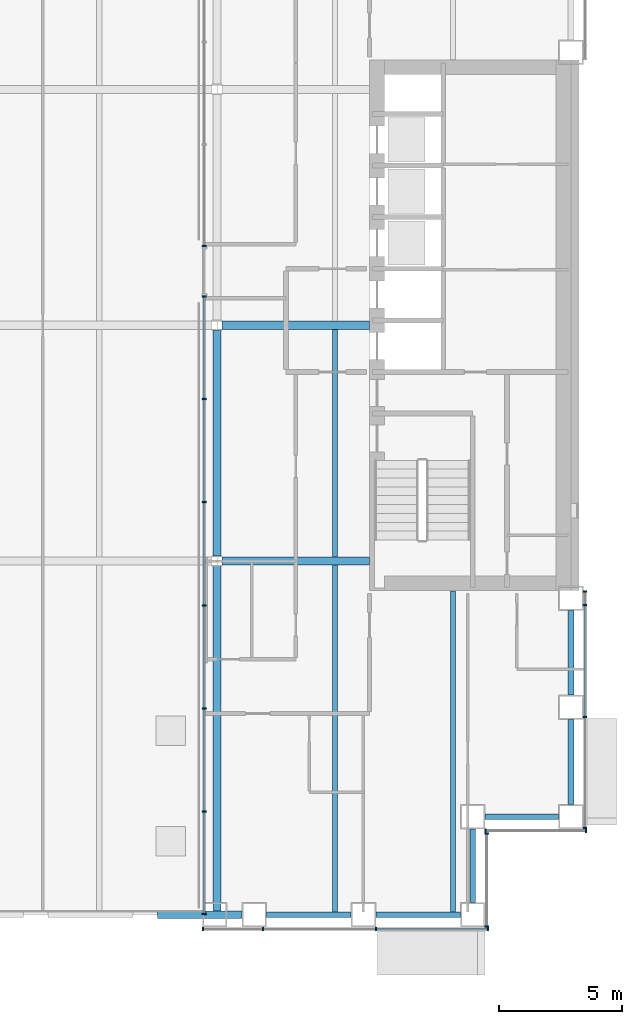
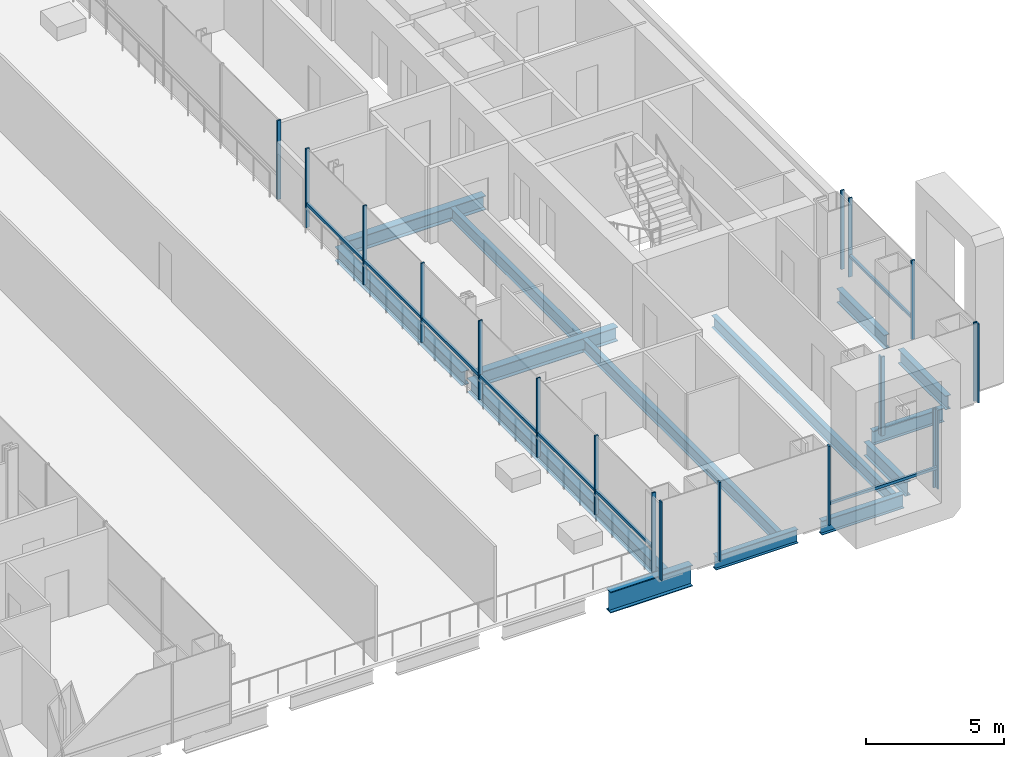
# One storey, part 5 of 24: 28 members, 14 beams, 6 elements without a shape of their own.
"""IFC4 building model written with IfcOpenShell, lengths in metres."""

from ifc_helpers import new_model, si_unit, direction, frame, origin, origin_2d, place, context, subcontext, project, spatial, rectangle, i_section, extrude, material, material_profile, profile_set, type_object, element, aggregate, save


model = new_model("IFC4")

# Units and contexts
model_context = context("Model", 3, precision=1e-05, world=origin(), true_north=direction((0.0, 1.0)))
body_context = subcontext(model_context, "Body", "Model", "MODEL_VIEW")
ifc_project = project(units=[si_unit("LENGTHUNIT", "METRE"), si_unit("AREAUNIT", "SQUARE_METRE"), si_unit("VOLUMEUNIT", "CUBIC_METRE"), si_unit("PLANEANGLEUNIT", "RADIAN"), si_unit("MASSUNIT", "GRAM", prefix="KILO")], contexts=[model_context])

# Site, building, storey
site_placement = place(None, origin())
site = spatial("IfcSite", under=ifc_project, at=site_placement, CompositionType="ELEMENT")
building_placement = place(site_placement, origin())
building = spatial("IfcBuilding", under=site, at=building_placement, Name="Cobrizo Arcos Hotel Tower", CompositionType="ELEMENT")
storey_placement = place(building_placement, frame((0.0, 0.0, 60.0)))
storey = spatial("IfcBuildingStorey", under=building, at=storey_placement, Name="L13", CompositionType="ELEMENT", Elevation=60.0)

# Curtain wall, members
ifc_material_1 = material(Name="Aluminium 6063-T6 anodised bronze", Category="aluminium")
curtain_wall_type_1 = type_object("IfcCurtainWallType", Name="CW-A guest facade", PredefinedType="NOTDEFINED", material=ifc_material_1)
curtain_wall_1_placement = place(storey_placement, origin())
curtain_wall_1 = element("IfcCurtainWall", 1, at=curtain_wall_1_placement, inside=storey, type_object=curtain_wall_type_1, Name="CW-A L13 S face", PredefinedType="NOTDEFINED")
ifc_material_profile_1 = material_profile(ifc_material_1, rectangle(XDim=0.14990234375, YDim=0.06005859375, at=origin_2d()), Name="CW-A mullion 150x60")
ifc_profile_set_1 = profile_set([ifc_material_profile_1], Name="Aluminium 6063-T6 anodised bronze")
member_type_1 = type_object("IfcMemberType", Name="CW-A mullion 150x60", PredefinedType="MULLION", material=ifc_profile_set_1)
member_1_placement = place(storey_placement, frame((9.030029296875, -24.574951171875, 0.0), z_axis=(0.0, 0.0, 1.0), x_axis=(0.0, -1.0, 0.0)))
member_1 = element("IfcMember", 2, at=member_1_placement, type_object=member_type_1, Name="CW-A mullion 1", PredefinedType="MULLION", context=body_context, shape_type="SweptSolid", body=[
    extrude(rectangle(XDim=0.14990234375, YDim=0.06005859375, at=origin_2d()), origin(), (0.0, 0.0, 1.0), 3.5),
])
member_2_placement = place(storey_placement, frame((11.47216796875, -24.574951171875, 0.0), z_axis=(0.0, 0.0, 1.0), x_axis=(0.0, -1.0, 0.0)))
member_2 = element("IfcMember", 3, at=member_2_placement, type_object=member_type_1, Name="CW-A mullion 2", PredefinedType="MULLION", context=body_context, shape_type="SweptSolid", body=[
    extrude(rectangle(XDim=0.14990234375, YDim=0.06005859375, at=origin_2d()), origin(), (0.0, 0.0, 1.0), 3.5),
])
member_3_placement = place(storey_placement, frame((16.06103515625, -24.574951171875, 0.0), z_axis=(0.0, 0.0, 1.0), x_axis=(0.0, -1.0, 0.0)))
member_3 = element("IfcMember", 4, at=member_3_placement, type_object=member_type_1, Name="CW-A mullion 3", PredefinedType="MULLION", context=body_context, shape_type="SweptSolid", body=[
    extrude(rectangle(XDim=0.14990234375, YDim=0.06005859375, at=origin_2d()), origin(), (0.0, 0.0, 1.0), 3.5),
])
member_4_placement = place(storey_placement, frame((20.6201171875, -24.574951171875, 0.0), z_axis=(0.0, 0.0, 1.0), x_axis=(0.0, -1.0, 0.0)))
member_4 = element("IfcMember", 5, at=member_4_placement, type_object=member_type_1, Name="CW-A mullion 4", PredefinedType="MULLION", context=body_context, shape_type="SweptSolid", body=[
    extrude(rectangle(XDim=0.14990234375, YDim=0.06005859375, at=origin_2d()), origin(), (0.0, 0.0, 1.0), 3.5),
])

curtain_wall_2_placement = place(storey_placement, origin())
curtain_wall_2 = element("IfcCurtainWall", 6, at=curtain_wall_2_placement, inside=storey, type_object=curtain_wall_type_1, Name="CW-A L13 E face", PredefinedType="NOTDEFINED")
member_5_placement = place(storey_placement, frame((20.574951171875, -24.469970703125, 0.0), z_axis=(0.0, 0.0, 1.0), x_axis=(1.0, 0.0, 0.0)))
member_5 = element("IfcMember", 7, at=member_5_placement, type_object=member_type_1, Name="CW-A mullion 1", PredefinedType="MULLION", context=body_context, shape_type="SweptSolid", body=[
    extrude(rectangle(XDim=0.14990234375, YDim=0.06005859375, at=origin_2d()), origin(), (0.0, 0.0, 1.0), 3.5),
])
member_6_placement = place(storey_placement, frame((20.574951171875, -20.679931640625, 0.0), z_axis=(0.0, 0.0, 1.0), x_axis=(1.0, 0.0, 0.0)))
member_6 = element("IfcMember", 8, at=member_6_placement, type_object=member_type_1, Name="CW-A mullion 2", PredefinedType="MULLION", context=body_context, shape_type="SweptSolid", body=[
    extrude(rectangle(XDim=0.14990234375, YDim=0.06005859375, at=origin_2d()), origin(), (0.0, 0.0, 1.0), 3.5),
])
aggregate(curtain_wall_2, [member_5, member_6])

curtain_wall_3_placement = place(storey_placement, origin())
curtain_wall_3 = element("IfcCurtainWall", 9, at=curtain_wall_3_placement, inside=storey, type_object=curtain_wall_type_1, Name="CW-A L13 S face", PredefinedType="NOTDEFINED")
member_7_placement = place(storey_placement, frame((20.530029296875, -20.574951171875, 0.0), z_axis=(0.0, 0.0, 1.0), x_axis=(0.0, -1.0, 0.0)))
member_7 = element("IfcMember", 10, at=member_7_placement, type_object=member_type_1, Name="CW-A mullion 1", PredefinedType="MULLION", context=body_context, shape_type="SweptSolid", body=[
    extrude(rectangle(XDim=0.14990234375, YDim=0.06005859375, at=origin_2d()), origin(), (0.0, 0.0, 1.0), 3.5),
])
member_8_placement = place(storey_placement, frame((24.6201171875, -20.574951171875, 0.0), z_axis=(0.0, 0.0, 1.0), x_axis=(0.0, -1.0, 0.0)))
member_8 = element("IfcMember", 11, at=member_8_placement, type_object=member_type_1, Name="CW-A mullion 2", PredefinedType="MULLION", context=body_context, shape_type="SweptSolid", body=[
    extrude(rectangle(XDim=0.14990234375, YDim=0.06005859375, at=origin_2d()), origin(), (0.0, 0.0, 1.0), 3.5),
])
aggregate(curtain_wall_3, [member_7, member_8])

curtain_wall_4_placement = place(storey_placement, origin())
curtain_wall_4 = element("IfcCurtainWall", 12, at=curtain_wall_4_placement, inside=storey, type_object=curtain_wall_type_1, Name="CW-A L13 E face", PredefinedType="NOTDEFINED")
member_9_placement = place(storey_placement, frame((24.574951171875, -20.469970703125, 0.0), z_axis=(0.0, 0.0, 1.0), x_axis=(1.0, 0.0, 0.0)))
member_9 = element("IfcMember", 13, at=member_9_placement, type_object=member_type_1, Name="CW-A mullion 1", PredefinedType="MULLION", context=body_context, shape_type="SweptSolid", body=[
    extrude(rectangle(XDim=0.14990234375, YDim=0.06005859375, at=origin_2d()), origin(), (0.0, 0.0, 1.0), 3.5),
])
member_10_placement = place(storey_placement, frame((24.574951171875, -15.9443359375, 0.0), z_axis=(0.0, 0.0, 1.0), x_axis=(1.0, 0.0, 0.0)))
member_10 = element("IfcMember", 14, at=member_10_placement, type_object=member_type_1, Name="CW-A mullion 2", PredefinedType="MULLION", context=body_context, shape_type="SweptSolid", body=[
    extrude(rectangle(XDim=0.14990234375, YDim=0.06005859375, at=origin_2d()), origin(), (0.0, 0.0, 1.0), 3.5),
])
member_11_placement = place(storey_placement, frame((24.574951171875, -11.388916015625, 0.0), z_axis=(0.0, 0.0, 1.0), x_axis=(1.0, 0.0, 0.0)))
member_11 = element("IfcMember", 15, at=member_11_placement, type_object=member_type_1, Name="CW-A mullion 3", PredefinedType="MULLION", context=body_context, shape_type="SweptSolid", body=[
    extrude(rectangle(XDim=0.14990234375, YDim=0.06005859375, at=origin_2d()), origin(), (0.0, 0.0, 1.0), 3.5),
])
member_12_placement = place(storey_placement, frame((24.574951171875, -10.830078125, 0.0), z_axis=(0.0, 0.0, 1.0), x_axis=(1.0, 0.0, 0.0)))
member_12 = element("IfcMember", 16, at=member_12_placement, type_object=member_type_1, Name="CW-A mullion 4", PredefinedType="MULLION", context=body_context, shape_type="SweptSolid", body=[
    extrude(rectangle(XDim=0.14990234375, YDim=0.06005859375, at=origin_2d()), origin(), (0.0, 0.0, 1.0), 3.5),
])

# Member
ifc_material_profile_2 = material_profile(ifc_material_1, rectangle(XDim=0.10009765625, YDim=0.1201171875, at=origin_2d()), Name="CW-A transom 120x100")
ifc_profile_set_2 = profile_set([ifc_material_profile_2], Name="Aluminium 6063-T6 anodised bronze")
member_type_2 = type_object("IfcMemberType", Name="CW-A transom 120x100", PredefinedType="USERDEFINED", material=ifc_profile_set_2)
member_13_placement = place(storey_placement, frame((16.091064453125, -24.574951171875, 0.929931640625), z_axis=(1.0, 0.0, 0.0), x_axis=(0.0, 1.0, 0.0)))
member_13 = element("IfcMember", 17, at=member_13_placement, type_object=member_type_2, Name="CW-A transom 594", ObjectType="TRANSOM", PredefinedType="USERDEFINED", context=body_context, shape_type="SweptSolid", body=[
    extrude(rectangle(XDim=0.10009765625, YDim=0.1201171875, at=origin_2d()), origin(), (0.0, 0.0, 1.0), 4.4990234375),
])

aggregate(curtain_wall_1, [member_1, member_2, member_3, member_4, member_13])

member_14_placement = place(storey_placement, frame((24.574951171875, -15.91455078125, 0.929931640625), z_axis=(0.0, 1.0, 0.0), x_axis=(-1.0, 0.0, 0.0)))
member_14 = element("IfcMember", 18, at=member_14_placement, type_object=member_type_2, Name="CW-A transom 598", ObjectType="TRANSOM", PredefinedType="USERDEFINED", context=body_context, shape_type="SweptSolid", body=[
    extrude(rectangle(XDim=0.10009765625, YDim=0.1201171875, at=origin_2d()), origin(), (0.0, 0.0, 1.0), 4.49560546875),
])

aggregate(curtain_wall_4, [member_9, member_10, member_11, member_12, member_14])

# Curtain wall, members
curtain_wall_type_2 = type_object("IfcCurtainWallType", Name="CW-F void screen", PredefinedType="NOTDEFINED", material=ifc_material_1)
curtain_wall_5_placement = place(storey_placement, origin())
curtain_wall_5 = element("IfcCurtainWall", 19, at=curtain_wall_5_placement, inside=storey, type_object=curtain_wall_type_2, Name="CW-F L13 void screen A", PredefinedType="NOTDEFINED")
ifc_material_profile_3 = material_profile(ifc_material_1, rectangle(XDim=0.14990234375, YDim=0.06005859375, at=origin_2d()), Name="CW-F mullion 150x60")
ifc_profile_set_3 = profile_set([ifc_material_profile_3], Name="Aluminium 6063-T6 anodised bronze")
member_type_3 = type_object("IfcMemberType", Name="CW-F mullion 150x60", PredefinedType="MULLION", material=ifc_profile_set_3)
member_15_placement = place(storey_placement, frame((9.074951171875, -23.969970703125, 0.0), z_axis=(0.0, 0.0, 1.0), x_axis=(1.0, 0.0, 0.0)))
member_15 = element("IfcMember", 20, at=member_15_placement, type_object=member_type_3, Name="CW-F mullion 1", PredefinedType="MULLION", context=body_context, shape_type="SweptSolid", body=[
    extrude(rectangle(XDim=0.14990234375, YDim=0.06005859375, at=origin_2d()), origin(), (0.0, 0.0, 1.0), 3.5),
])
member_16_placement = place(storey_placement, frame((9.074951171875, -19.800048828125, 0.0), z_axis=(0.0, 0.0, 1.0), x_axis=(1.0, 0.0, 0.0)))
member_16 = element("IfcMember", 21, at=member_16_placement, type_object=member_type_3, Name="CW-F mullion 2", PredefinedType="MULLION", context=body_context, shape_type="SweptSolid", body=[
    extrude(rectangle(XDim=0.14990234375, YDim=0.06005859375, at=origin_2d()), origin(), (0.0, 0.0, 1.0), 3.5),
])
member_17_placement = place(storey_placement, frame((9.074951171875, -15.60009765625, 0.0), z_axis=(0.0, 0.0, 1.0), x_axis=(1.0, 0.0, 0.0)))
member_17 = element("IfcMember", 22, at=member_17_placement, type_object=member_type_3, Name="CW-F mullion 3", PredefinedType="MULLION", context=body_context, shape_type="SweptSolid", body=[
    extrude(rectangle(XDim=0.14990234375, YDim=0.06005859375, at=origin_2d()), origin(), (0.0, 0.0, 1.0), 3.5),
])
member_18_placement = place(storey_placement, frame((9.074951171875, -11.39990234375, 0.0), z_axis=(0.0, 0.0, 1.0), x_axis=(1.0, 0.0, 0.0)))
member_18 = element("IfcMember", 23, at=member_18_placement, type_object=member_type_3, Name="CW-F mullion 4", PredefinedType="MULLION", context=body_context, shape_type="SweptSolid", body=[
    extrude(rectangle(XDim=0.14990234375, YDim=0.06005859375, at=origin_2d()), origin(), (0.0, 0.0, 1.0), 3.5),
])
member_19_placement = place(storey_placement, frame((9.074951171875, -7.199951171875, 0.0), z_axis=(0.0, 0.0, 1.0), x_axis=(1.0, 0.0, 0.0)))
member_19 = element("IfcMember", 24, at=member_19_placement, type_object=member_type_3, Name="CW-F mullion 5", PredefinedType="MULLION", context=body_context, shape_type="SweptSolid", body=[
    extrude(rectangle(XDim=0.14990234375, YDim=0.06005859375, at=origin_2d()), origin(), (0.0, 0.0, 1.0), 3.5),
])
member_20_placement = place(storey_placement, frame((9.074951171875, -3.0, 0.0), z_axis=(0.0, 0.0, 1.0), x_axis=(1.0, 0.0, 0.0)))
member_20 = element("IfcMember", 25, at=member_20_placement, type_object=member_type_3, Name="CW-F mullion 6", PredefinedType="MULLION", context=body_context, shape_type="SweptSolid", body=[
    extrude(rectangle(XDim=0.14990234375, YDim=0.06005859375, at=origin_2d()), origin(), (0.0, 0.0, 1.0), 3.5),
])
member_21_placement = place(storey_placement, frame((9.074951171875, 1.169921875, 0.0), z_axis=(0.0, 0.0, 1.0), x_axis=(1.0, 0.0, 0.0)))
member_21 = element("IfcMember", 26, at=member_21_placement, type_object=member_type_3, Name="CW-F mullion 7", PredefinedType="MULLION", context=body_context, shape_type="SweptSolid", body=[
    extrude(rectangle(XDim=0.14990234375, YDim=0.06005859375, at=origin_2d()), origin(), (0.0, 0.0, 1.0), 3.5),
])

# Curtain wall, member
curtain_wall_6_placement = place(storey_placement, origin())
curtain_wall_6 = element("IfcCurtainWall", 27, at=curtain_wall_6_placement, inside=storey, type_object=curtain_wall_type_2, Name="CW-F L13 void screen A", PredefinedType="NOTDEFINED")
member_22_placement = place(storey_placement, frame((9.074951171875, 3.22998046875, 0.0), z_axis=(0.0, 0.0, 1.0), x_axis=(1.0, 0.0, 0.0)))
member_22 = element("IfcMember", 28, at=member_22_placement, type_object=member_type_3, Name="CW-F mullion 1", PredefinedType="MULLION", context=body_context, shape_type="SweptSolid", body=[
    extrude(rectangle(XDim=0.14990234375, YDim=0.06005859375, at=origin_2d()), origin(), (0.0, 0.0, 1.0), 3.5),
])
aggregate(curtain_wall_6, [member_22])

# Member
ifc_material_profile_4 = material_profile(ifc_material_1, rectangle(XDim=0.10009765625, YDim=0.1201171875, at=origin_2d()), Name="CW-F transom 120x100")
ifc_profile_set_4 = profile_set([ifc_material_profile_4], Name="Aluminium 6063-T6 anodised bronze")
member_type_4 = type_object("IfcMemberType", Name="CW-F transom 120x100", PredefinedType="USERDEFINED", material=ifc_profile_set_4)
member_23_placement = place(storey_placement, frame((9.074951171875, -23.93994140625, 1.050048828125), z_axis=(0.0, 1.0, 0.0), x_axis=(-1.0, 0.0, 0.0)))
member_23 = element("IfcMember", 29, at=member_23_placement, type_object=member_type_4, Name="CW-F transom 2426", ObjectType="TRANSOM", PredefinedType="USERDEFINED", context=body_context, shape_type="SweptSolid", body=[
    extrude(rectangle(XDim=0.10009765625, YDim=0.1201171875, at=origin_2d()), origin(), (0.0, 0.0, 1.0), 4.10986328125),
])

member_24_placement = place(storey_placement, frame((9.074951171875, -19.77001953125, 1.050048828125), z_axis=(0.0, 1.0, 0.0), x_axis=(-1.0, 0.0, 0.0)))
member_24 = element("IfcMember", 30, at=member_24_placement, type_object=member_type_4, Name="CW-F transom 2427", ObjectType="TRANSOM", PredefinedType="USERDEFINED", context=body_context, shape_type="SweptSolid", body=[
    extrude(rectangle(XDim=0.10009765625, YDim=0.1201171875, at=origin_2d()), origin(), (0.0, 0.0, 1.0), 4.14013671875),
])

member_25_placement = place(storey_placement, frame((9.074951171875, -15.570068359375, 1.050048828125), z_axis=(0.0, 1.0, 0.0), x_axis=(-1.0, 0.0, 0.0)))
member_25 = element("IfcMember", 31, at=member_25_placement, type_object=member_type_4, Name="CW-F transom 2428", ObjectType="TRANSOM", PredefinedType="USERDEFINED", context=body_context, shape_type="SweptSolid", body=[
    extrude(rectangle(XDim=0.10009765625, YDim=0.1201171875, at=origin_2d()), origin(), (0.0, 0.0, 1.0), 4.14013671875),
])

member_26_placement = place(storey_placement, frame((9.074951171875, -11.3701171875, 1.050048828125), z_axis=(0.0, 1.0, 0.0), x_axis=(-1.0, 0.0, 0.0)))
member_26 = element("IfcMember", 32, at=member_26_placement, type_object=member_type_4, Name="CW-F transom 2429", ObjectType="TRANSOM", PredefinedType="USERDEFINED", context=body_context, shape_type="SweptSolid", body=[
    extrude(rectangle(XDim=0.10009765625, YDim=0.1201171875, at=origin_2d()), origin(), (0.0, 0.0, 1.0), 4.14013671875),
])

member_27_placement = place(storey_placement, frame((9.074951171875, -7.169921875, 1.050048828125), z_axis=(0.0, 1.0, 0.0), x_axis=(-1.0, 0.0, 0.0)))
member_27 = element("IfcMember", 33, at=member_27_placement, type_object=member_type_4, Name="CW-F transom 2430", ObjectType="TRANSOM", PredefinedType="USERDEFINED", context=body_context, shape_type="SweptSolid", body=[
    extrude(rectangle(XDim=0.10009765625, YDim=0.1201171875, at=origin_2d()), origin(), (0.0, 0.0, 1.0), 4.139892578125),
])

member_28_placement = place(storey_placement, frame((9.074951171875, -2.969970703125, 1.050048828125), z_axis=(0.0, 1.0, 0.0), x_axis=(-1.0, 0.0, 0.0)))
member_28 = element("IfcMember", 34, at=member_28_placement, type_object=member_type_4, Name="CW-F transom 2431", ObjectType="TRANSOM", PredefinedType="USERDEFINED", context=body_context, shape_type="SweptSolid", body=[
    extrude(rectangle(XDim=0.10009765625, YDim=0.1201171875, at=origin_2d()), origin(), (0.0, 0.0, 1.0), 4.10986328125),
])

aggregate(curtain_wall_5, [member_15, member_16, member_17, member_18, member_19, member_20, member_21, member_23, member_24, member_25, member_26, member_27, member_28])

# Beams
ifc_material_2 = material(Name="Steel ASTM A992 Grade 50", Category="steel")
ifc_material_profile_5 = material_profile(ifc_material_2, i_section(OverallWidth=0.209228515625, OverallDepth=0.533447265625, WebThickness=0.01025390625, FlangeThickness=0.015625, at=origin_2d()), Name="W21X62")
ifc_profile_set_5 = profile_set([ifc_material_profile_5], Name="Steel ASTM A992 Grade 50")
beam_type_1 = type_object("IfcBeamType", Name="W21X62 joist", PredefinedType="JOIST", material=ifc_profile_set_5)
beam_1_placement = place(storey_placement, frame((14.39990234375, -23.909912109375, -0.416748046875), z_axis=(0.0, 1.0, 0.0), x_axis=(-1.0, 0.0, 0.0)))
element("IfcBeam", 35, at=beam_1_placement, inside=storey, type_object=beam_type_1, Name="Floor joist J1, L13, no. 015", PredefinedType="JOIST", context=body_context, shape_type="SweptSolid", body=[
    extrude(i_section(OverallWidth=0.209228515625, OverallDepth=0.533447265625, WebThickness=0.01025390625, FlangeThickness=0.015625, at=origin_2d()), origin(), (0.0, 0.0, 1.0), 14.14599609375),
])
beam_2_placement = place(storey_placement, frame((14.39990234375, -9.43603515625, -0.416748046875), z_axis=(0.0, 1.0, 0.0), x_axis=(-1.0, 0.0, 0.0)))
element("IfcBeam", 36, at=beam_2_placement, inside=storey, type_object=beam_type_1, Name="Floor joist J1, L13, no. 016", PredefinedType="JOIST", context=body_context, shape_type="SweptSolid", body=[
    extrude(i_section(OverallWidth=0.209228515625, OverallDepth=0.533447265625, WebThickness=0.01025390625, FlangeThickness=0.015625, at=origin_2d()), origin(), (0.0, 0.0, 1.0), 9.272216796875),
])
beam_3_placement = place(storey_placement, frame((19.199951171875, -23.909912109375, -0.416748046875), z_axis=(0.0, 1.0, 0.0), x_axis=(-1.0, 0.0, 0.0)))
element("IfcBeam", 37, at=beam_3_placement, inside=storey, type_object=beam_type_1, Name="Floor joist J1, L13, no. 019", PredefinedType="JOIST", context=body_context, shape_type="SweptSolid", body=[
    extrude(i_section(OverallWidth=0.209228515625, OverallDepth=0.533447265625, WebThickness=0.01025390625, FlangeThickness=0.015625, at=origin_2d()), origin(), (0.0, 0.0, 1.0), 13.099853515625),
])
ifc_material_profile_6 = material_profile(ifc_material_2, i_section(OverallWidth=0.32763671875, OverallDepth=0.622314453125, WebThickness=0.015380859375, FlangeThickness=0.0244140625, at=origin_2d()), Name="W24X131")
ifc_profile_set_6 = profile_set([ifc_material_profile_6], Name="Steel ASTM A992 Grade 50")
beam_type_2 = type_object("IfcBeamType", Name="W24X131 girder", PredefinedType="BEAM", material=ifc_profile_set_6)
for number, where, z_axis, x_axis, name in (
    (38, (9.804443359375, -9.60009765625, -0.461181640625), (1.0, 0.0, 0.0), (0.0, 1.0, 0.0), "Floor girder G1, L13, no. 004"),
    (39, (9.804443359375, 0.0, -0.461181640625), (1.0, 0.0, 0.0), (0.0, 1.0, 0.0), "Floor girder G1, L13, no. 008"),
):
    element("IfcBeam", number, at=place(storey_placement, frame(where, z_axis=z_axis, x_axis=x_axis)), inside=storey, type_object=beam_type_2, Name=name, PredefinedType="BEAM", context=body_context, shape_type="SweptSolid", body=[
        extrude(i_section(OverallWidth=0.32763671875, OverallDepth=0.622314453125, WebThickness=0.015380859375, FlangeThickness=0.0244140625, at=origin_2d()), origin(), (0.0, 0.0, 1.0), 5.985595703125),
    ])
beam_4_placement = place(storey_placement, frame((9.60009765625, -23.909912109375, -0.461181640625), z_axis=(0.0, 1.0, 0.0), x_axis=(-1.0, 0.0, 0.0)))
element("IfcBeam", 40, at=beam_4_placement, inside=storey, type_object=beam_type_2, Name="Floor girder G1, L13, no. 021", PredefinedType="BEAM", context=body_context, shape_type="SweptSolid", body=[
    extrude(i_section(OverallWidth=0.32763671875, OverallDepth=0.622314453125, WebThickness=0.015380859375, FlangeThickness=0.0244140625, at=origin_2d()), origin(), (0.0, 0.0, 1.0), 14.10546875),
])
beam_5_placement = place(storey_placement, frame((9.60009765625, -9.3955078125, -0.461181640625), z_axis=(0.0, 1.0, 0.0), x_axis=(-1.0, 0.0, 0.0)))
element("IfcBeam", 41, at=beam_5_placement, inside=storey, type_object=beam_type_2, Name="Floor girder G1, L13, no. 022", PredefinedType="BEAM", context=body_context, shape_type="SweptSolid", body=[
    extrude(i_section(OverallWidth=0.32763671875, OverallDepth=0.622314453125, WebThickness=0.015380859375, FlangeThickness=0.0244140625, at=origin_2d()), origin(), (0.0, 0.0, 1.0), 9.191162109375),
])
ifc_material_profile_7 = material_profile(ifc_material_2, i_section(OverallWidth=0.23046875, OverallDepth=0.6171875, WebThickness=0.01318359375, FlangeThickness=0.022216796875, at=origin_2d()), Name="W24X94")
ifc_profile_set_7 = profile_set([ifc_material_profile_7], Name="Steel ASTM A992 Grade 50")
beam_type_3 = type_object("IfcBeamType", Name="W24X94 spandrel", PredefinedType="SPANDREL", material=ifc_profile_set_7)
beam_6_placement = place(storey_placement, frame((11.611083984375, -24.0, -0.45849609375), z_axis=(1.0, 0.0, 0.0), x_axis=(0.0, 1.0, 0.0)))
element("IfcBeam", 42, at=beam_6_placement, inside=storey, type_object=beam_type_3, Name="Spandrel beam W24X94, L13, no. 006", PredefinedType="SPANDREL", context=body_context, shape_type="SweptSolid", body=[
    extrude(i_section(OverallWidth=0.23046875, OverallDepth=0.6171875, WebThickness=0.01318359375, FlangeThickness=0.022216796875, at=origin_2d()), origin(), (0.0, 0.0, 1.0), 3.44482421875),
])
beam_7_placement = place(storey_placement, frame((16.055908203125, -24.0, -0.45849609375), z_axis=(1.0, 0.0, 0.0), x_axis=(0.0, 1.0, 0.0)))
element("IfcBeam", 43, at=beam_7_placement, inside=storey, type_object=beam_type_3, Name="Spandrel beam W24X94, L13, no. 007", PredefinedType="SPANDREL", context=body_context, shape_type="SweptSolid", body=[
    extrude(i_section(OverallWidth=0.23046875, OverallDepth=0.6171875, WebThickness=0.01318359375, FlangeThickness=0.022216796875, at=origin_2d()), origin(), (0.0, 0.0, 1.0), 3.444091796875),
])
for number, where, z_axis, x_axis, name in (
    (44, (20.0, -23.5, -0.45849609375), (0.0, 1.0, 0.0), (-1.0, 0.0, 0.0), "Spandrel beam W24X94, L13, no. 008"),
    (45, (20.5, -20.0, -0.45849609375), (1.0, 0.0, 0.0), (0.0, 1.0, 0.0), "Spandrel beam W24X94, L13, no. 009"),
):
    element("IfcBeam", number, at=place(storey_placement, frame(where, z_axis=z_axis, x_axis=x_axis)), inside=storey, type_object=beam_type_3, Name=name, PredefinedType="SPANDREL", context=body_context, shape_type="SweptSolid", body=[
        extrude(i_section(OverallWidth=0.23046875, OverallDepth=0.6171875, WebThickness=0.01318359375, FlangeThickness=0.022216796875, at=origin_2d()), origin(), (0.0, 0.0, 1.0), 3.0),
    ])
beam_8_placement = place(storey_placement, frame((24.0, -19.5, -0.45849609375), z_axis=(0.0, 1.0, 0.0), x_axis=(-1.0, 0.0, 0.0)))
element("IfcBeam", 46, at=beam_8_placement, inside=storey, type_object=beam_type_3, Name="Spandrel beam W24X94, L13, no. 010", PredefinedType="SPANDREL", context=body_context, shape_type="SweptSolid", body=[
    extrude(i_section(OverallWidth=0.23046875, OverallDepth=0.6171875, WebThickness=0.01318359375, FlangeThickness=0.022216796875, at=origin_2d()), origin(), (0.0, 0.0, 1.0), 3.444091796875),
])
beam_9_placement = place(storey_placement, frame((24.0, -15.055908203125, -0.45849609375), z_axis=(0.0, 1.0, 0.0), x_axis=(-1.0, 0.0, 0.0)))
element("IfcBeam", 47, at=beam_9_placement, inside=storey, type_object=beam_type_3, Name="Spandrel beam W24X94, L13, no. 011", PredefinedType="SPANDREL", context=body_context, shape_type="SweptSolid", body=[
    extrude(i_section(OverallWidth=0.23046875, OverallDepth=0.6171875, WebThickness=0.01318359375, FlangeThickness=0.022216796875, at=origin_2d()), origin(), (0.0, 0.0, 1.0), 3.44482421875),
])
ifc_material_profile_8 = material_profile(ifc_material_2, i_section(OverallWidth=0.307373046875, OverallDepth=0.9423828125, WebThickness=0.022216796875, FlangeThickness=0.039794921875, at=origin_2d()), Name="W36X232")
ifc_profile_set_8 = profile_set([ifc_material_profile_8], Name="Steel ASTM A992 Grade 50")
beam_type_4 = type_object("IfcBeamType", Name="W36X232 spandrel transfer", PredefinedType="BEAM", material=ifc_profile_set_8)
beam_10_placement = place(storey_placement, frame((7.1669921875, -24.0, -0.62109375), z_axis=(1.0, 0.0, 0.0), x_axis=(0.0, 1.0, 0.0)))
element("IfcBeam", 48, at=beam_10_placement, inside=storey, type_object=beam_type_4, Name="Spandrel transfer beam ST1, L13, no. 002", PredefinedType="BEAM", context=body_context, shape_type="SweptSolid", body=[
    extrude(i_section(OverallWidth=0.307373046875, OverallDepth=0.9423828125, WebThickness=0.022216796875, FlangeThickness=0.039794921875, at=origin_2d()), origin(), (0.0, 0.0, 1.0), 3.444091796875),
])

save(model, "model.ifc")
